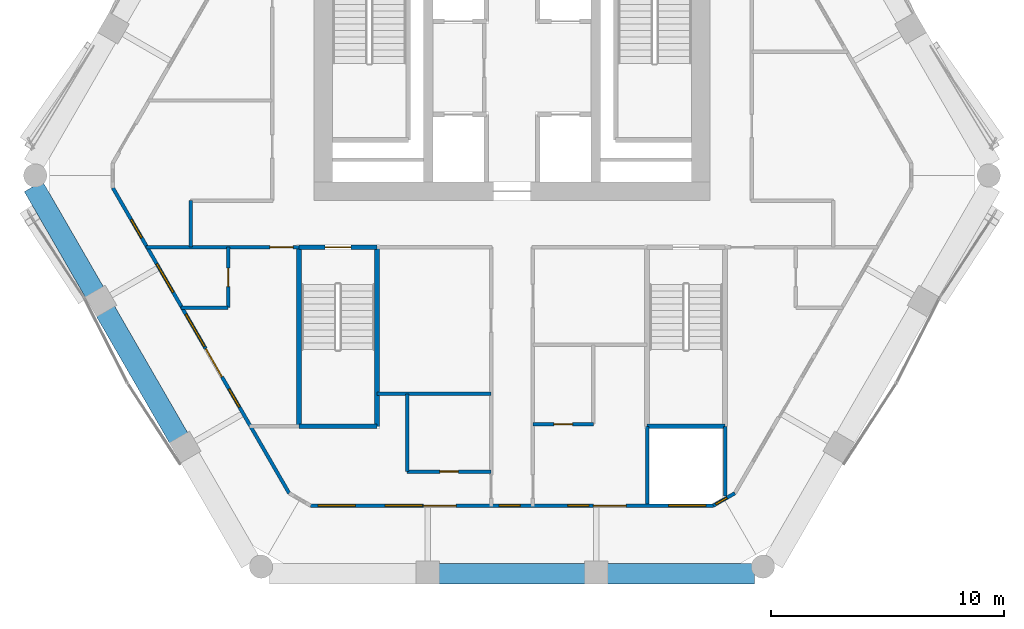
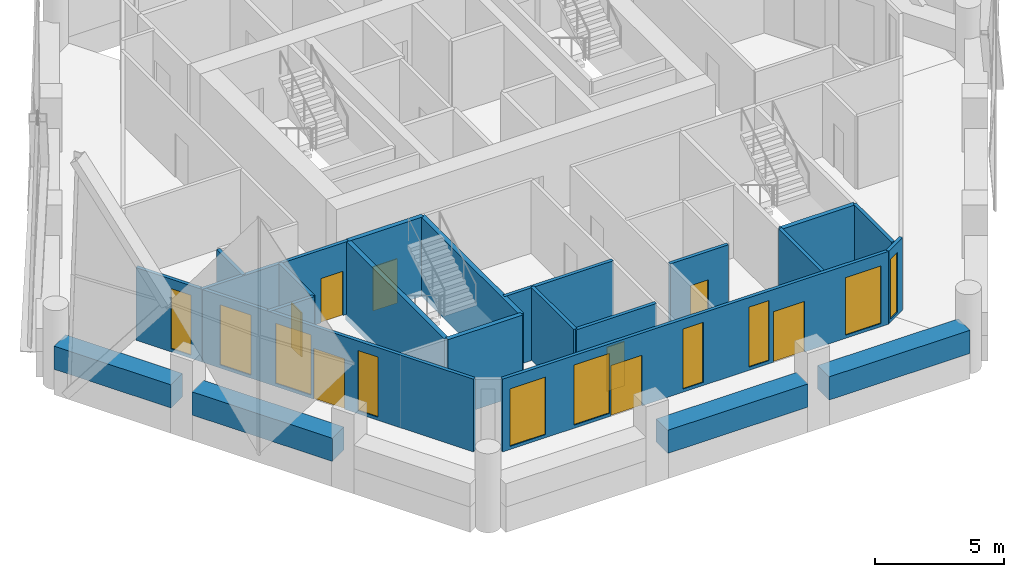
# One storey, part 7 of 13: 22 walls, 10 windows, 8 doors, 18 openings.
"""IFC4 building model written with IfcOpenShell, lengths in metres."""

from ifc_helpers import new_model, si_unit, direction, frame, frame_2d, origin, place, context, subcontext, project, spatial, rectangle, extrude, material, layer, layer_set, type_object, element, fill, save


model = new_model("IFC4")

# Units and contexts
model_context = context("Model", 3, precision=1e-05, world=origin(), true_north=direction((0.0, 1.0)))
body_context = subcontext(model_context, "Body", "Model", "MODEL_VIEW")
ifc_project = project(units=[si_unit("LENGTHUNIT", "METRE"), si_unit("AREAUNIT", "SQUARE_METRE"), si_unit("VOLUMEUNIT", "CUBIC_METRE"), si_unit("PLANEANGLEUNIT", "RADIAN"), si_unit("MASSUNIT", "GRAM", prefix="KILO")], contexts=[model_context])

# Site, building, storey
site_placement = place(None, origin())
site = spatial("IfcSite", under=ifc_project, at=site_placement, CompositionType="ELEMENT")
building_placement = place(site_placement, origin())
building = spatial("IfcBuilding", under=site, at=building_placement, Name="Ostrander Bayou Hotel Tower", CompositionType="ELEMENT")
storey_placement = place(building_placement, frame((0.0, 0.0, 187.0)))
storey = spatial("IfcBuildingStorey", under=building, at=storey_placement, Name="L46", CompositionType="ELEMENT", Elevation=187.0)

# Wall, openings, door, windows
ifc_material_1 = material(Name="Aluminium framed insulated wall", Category="aluminium")
ifc_layer_1 = layer(ifc_material_1, 0.14990234375)
ifc_layer_set_1 = layer_set([ifc_layer_1], Name="GW1 glass-line wall 150 mm")
wall_type_1 = type_object("IfcWallType", Name="GW1 glass-line wall 150 mm", PredefinedType="SOLIDWALL", material=ifc_layer_set_1)
wall_1_placement = place(storey_placement, frame((-17.144775390625, -1.154296875, 0.0), z_axis=(0.0, 0.0, 1.0), x_axis=(0.500005248668, -0.866022373443, 0.0)))
wall_1 = element("IfcWall", 1, at=wall_1_placement, inside=storey, type_object=wall_type_1, Name="GW1 L46 SW 1", PredefinedType="SOLIDWALL", context=body_context, shape_type="SweptSolid", body=[
    extrude(rectangle(XDim=15.145263671875, YDim=0.14990234375, at=frame_2d((7.57275390625, 0.0))), origin(), (0.0, 0.0, 1.0), 3.449951171875),
])
opening_1_placement = place(wall_1_placement, frame((1.57275390625, 0.0, 0.14990234375)))
opening_1 = element("IfcOpeningElement", 2, at=opening_1_placement, cuts=wall_1, Name="Opening W17", PredefinedType="OPENING", context=body_context, shape_type="SweptSolid", body=[
    extrude(rectangle(XDim=0.89990234375, YDim=2.85009765625, at=frame_2d((0.449951171875, 1.425048828125))), frame((0.0, 0.074951171875, 0.0), z_axis=(0.0, -1.0, 0.0), x_axis=(1.0, 0.0, 0.0)), (0.0, 0.0, 1.0), 0.14990234375),
])
opening_2_placement = place(wall_1_placement, frame((3.772705078125, 0.0, 0.14990234375)))
opening_2 = element("IfcOpeningElement", 3, at=opening_2_placement, cuts=wall_1, Name="Opening W13", PredefinedType="OPENING", context=body_context, shape_type="SweptSolid", body=[
    extrude(rectangle(XDim=1.39990234375, YDim=2.85009765625, at=frame_2d((0.699951171875, 1.425048828125))), frame((0.0, 0.074951171875, 0.0), z_axis=(0.0, -1.0, 0.0), x_axis=(1.0, 0.0, 0.0)), (0.0, 0.0, 1.0), 0.14990234375),
])
opening_3_placement = place(wall_1_placement, frame((6.265625, 0.0, 0.14990234375)))
opening_3 = element("IfcOpeningElement", 4, at=opening_3_placement, cuts=wall_1, Name="Opening W3", PredefinedType="OPENING", context=body_context, shape_type="SweptSolid", body=[
    extrude(rectangle(XDim=1.60009765625, YDim=2.85009765625, at=frame_2d((0.800048828125, 1.425048828125))), frame((0.0, 0.074951171875, 0.0), z_axis=(0.0, -1.0, 0.0), x_axis=(1.0, 0.0, 0.0)), (0.0, 0.0, 1.0), 0.14990234375),
])
opening_4_placement = place(wall_1_placement, frame((7.97265625, 0.0, 0.0)))
opening_4 = element("IfcOpeningElement", 5, at=opening_4_placement, cuts=wall_1, Name="Opening T44-801", PredefinedType="OPENING", context=body_context, shape_type="SweptSolid", body=[
    extrude(rectangle(XDim=1.39990234375, YDim=2.39990234375, at=frame_2d((0.699951171875, 1.199951171875))), frame((0.0, 0.074951171875, 0.0), z_axis=(0.0, -1.0, 0.0), x_axis=(1.0, 0.0, 0.0)), (0.0, 0.0, 1.0), 0.14990234375),
])
opening_5_placement = place(wall_1_placement, frame((9.97265625, 0.0, 0.14990234375)))
opening_5 = element("IfcOpeningElement", 6, at=opening_5_placement, cuts=wall_1, Name="Opening W17", PredefinedType="OPENING", context=body_context, shape_type="SweptSolid", body=[
    extrude(rectangle(XDim=0.89990234375, YDim=2.85009765625, at=frame_2d((0.449951171875, 1.425048828125))), frame((0.0, 0.074951171875, 0.0), z_axis=(0.0, -1.0, 0.0), x_axis=(1.0, 0.0, 0.0)), (0.0, 0.0, 1.0), 0.14990234375),
])
ifc_material_2 = material(Name="Aluminium and clear glass", Category="aluminium")
door_type_1 = type_object("IfcDoorType", Name="SD3 sliding glass door 1400 mm, zone 3", OperationType="SLIDING_TO_LEFT", PredefinedType="DOOR", material=ifc_material_2)
door_1_placement = place(opening_4_placement, origin())
door_1 = element("IfcDoor", 7, at=door_1_placement, inside=storey, type_object=door_type_1, Name="SD3 L46 SW 2", OperationType="SLIDING_TO_RIGHT", OverallHeight=2.39990234375, OverallWidth=1.39990234375, PredefinedType="DOOR", context=body_context, shape_type="SweptSolid", body=[
    extrude(rectangle(XDim=1.39990234375, YDim=2.39990234375, at=frame_2d((0.699951171875, 1.199951171875))), frame((0.0, 0.02490234375, 0.0), z_axis=(0.0, -1.0, 0.0), x_axis=(1.0, 0.0, 0.0)), (0.0, 0.0, 1.0), 0.050048828125),
])
fill(opening_4, door_1)
ifc_material_3 = material(Name="Aluminium and clear glass", Category="aluminium")
window_type_1 = type_object("IfcWindowType", Name="W13 fixed window 1400 mm, bath bay, zone 3", PartitioningType="SINGLE_PANEL", PredefinedType="WINDOW", material=ifc_material_3)
window_1_placement = place(opening_2_placement, origin())
window_1 = element("IfcWindow", 8, at=window_1_placement, inside=storey, type_object=window_type_1, Name="W13 L46 SW 1", OverallHeight=2.85009765625, OverallWidth=1.39990234375, PartitioningType="SINGLE_PANEL", PredefinedType="WINDOW", context=body_context, shape_type="SweptSolid", body=[
    extrude(rectangle(XDim=1.39990234375, YDim=2.85009765625, at=frame_2d((0.699951171875, 1.425048828125))), frame((0.0, 0.030029296875, 0.0), z_axis=(0.0, -1.0, 0.0), x_axis=(1.0, 0.0, 0.0)), (0.0, 0.0, 1.0), 0.06005859375),
])
fill(opening_2, window_1)
ifc_material_4 = material(Name="Aluminium and clear glass", Category="aluminium")
window_type_2 = type_object("IfcWindowType", Name="W17 window 900 mm, zone 3", PartitioningType="SINGLE_PANEL", PredefinedType="WINDOW", material=ifc_material_4)
window_2_placement = place(opening_1_placement, origin())
window_2 = element("IfcWindow", 9, at=window_2_placement, inside=storey, type_object=window_type_2, Name="W17 L46 SW 1", OverallHeight=2.85009765625, OverallWidth=0.89990234375, PartitioningType="SINGLE_PANEL", PredefinedType="WINDOW", context=body_context, shape_type="SweptSolid", body=[
    extrude(rectangle(XDim=0.89990234375, YDim=2.85009765625, at=frame_2d((0.449951171875, 1.425048828125))), frame((0.0, 0.030029296875, 0.0), z_axis=(0.0, -1.0, 0.0), x_axis=(1.0, 0.0, 0.0)), (0.0, 0.0, 1.0), 0.06005859375),
])
fill(opening_1, window_2)
window_3_placement = place(opening_5_placement, origin())
window_3 = element("IfcWindow", 10, at=window_3_placement, inside=storey, type_object=window_type_2, Name="W17 L46 SW 3", OverallHeight=2.85009765625, OverallWidth=0.89990234375, PartitioningType="SINGLE_PANEL", PredefinedType="WINDOW", context=body_context, shape_type="SweptSolid", body=[
    extrude(rectangle(XDim=0.89990234375, YDim=2.85009765625, at=frame_2d((0.449951171875, 1.425048828125))), frame((0.0, 0.030029296875, 0.0), z_axis=(0.0, -1.0, 0.0), x_axis=(1.0, 0.0, 0.0)), (0.0, 0.0, 1.0), 0.06005859375),
])
fill(opening_5, window_3)
ifc_material_5 = material(Name="Aluminium and clear glass", Category="aluminium")
window_type_3 = type_object("IfcWindowType", Name="W3 fixed window 1600 mm, zone 3", PartitioningType="SINGLE_PANEL", PredefinedType="WINDOW", material=ifc_material_5)
window_4_placement = place(opening_3_placement, origin())
window_4 = element("IfcWindow", 11, at=window_4_placement, inside=storey, type_object=window_type_3, Name="W3 L46 SW 2", OverallHeight=2.85009765625, OverallWidth=1.60009765625, PartitioningType="SINGLE_PANEL", PredefinedType="WINDOW", context=body_context, shape_type="SweptSolid", body=[
    extrude(rectangle(XDim=1.60009765625, YDim=2.85009765625, at=frame_2d((0.800048828125, 1.425048828125))), frame((0.0, 0.030029296875, 0.0), z_axis=(0.0, -1.0, 0.0), x_axis=(1.0, 0.0, 0.0)), (0.0, 0.0, 1.0), 0.06005859375),
])
fill(opening_3, window_4)

# Wall, openings, doors, windows
wall_2_placement = place(storey_placement, frame((-8.64990234375, -14.802978515625, 0.0), z_axis=(0.0, 0.0, 1.0), x_axis=(1.0, 0.0, 0.0)))
wall_2 = element("IfcWall", 12, at=wall_2_placement, inside=storey, type_object=wall_type_1, Name="GW1 L46 S 1", PredefinedType="SOLIDWALL", context=body_context, shape_type="SweptSolid", body=[
    extrude(rectangle(XDim=17.2998046875, YDim=0.14990234375, at=frame_2d((8.64990234375, 0.0))), origin(), (0.0, 0.0, 1.0), 3.449951171875),
])
opening_6_placement = place(wall_2_placement, frame((3.19970703125, 0.0, 0.14990234375)))
opening_6 = element("IfcOpeningElement", 13, at=opening_6_placement, cuts=wall_2, Name="Opening W3", PredefinedType="OPENING", context=body_context, shape_type="SweptSolid", body=[
    extrude(rectangle(XDim=1.60009765625, YDim=2.85009765625, at=frame_2d((0.800048828125, 1.425048828125))), frame((0.0, 0.074951171875, 0.0), z_axis=(0.0, -1.0, 0.0), x_axis=(1.0, 0.0, 0.0)), (0.0, 0.0, 1.0), 0.14990234375),
])
opening_7_placement = place(wall_2_placement, frame((4.849853515625, 0.0, 0.0)))
opening_7 = element("IfcOpeningElement", 14, at=opening_7_placement, cuts=wall_2, Name="Opening T44-802", PredefinedType="OPENING", context=body_context, shape_type="SweptSolid", body=[
    extrude(rectangle(XDim=1.39990234375, YDim=2.39990234375, at=frame_2d((0.699951171875, 1.199951171875))), frame((0.0, 0.074951171875, 0.0), z_axis=(0.0, -1.0, 0.0), x_axis=(1.0, 0.0, 0.0)), (0.0, 0.0, 1.0), 0.14990234375),
])
opening_8_placement = place(wall_2_placement, frame((8.099853515625, 0.0, 0.14990234375)))
opening_8 = element("IfcOpeningElement", 15, at=opening_8_placement, cuts=wall_2, Name="Opening W17", PredefinedType="OPENING", context=body_context, shape_type="SweptSolid", body=[
    extrude(rectangle(XDim=0.89990234375, YDim=2.85009765625, at=frame_2d((0.449951171875, 1.425048828125))), frame((0.0, 0.074951171875, 0.0), z_axis=(0.0, -1.0, 0.0), x_axis=(1.0, 0.0, 0.0)), (0.0, 0.0, 1.0), 0.14990234375),
])
opening_9_placement = place(wall_2_placement, frame((11.0498046875, 0.0, 0.14990234375)))
opening_9 = element("IfcOpeningElement", 16, at=opening_9_placement, cuts=wall_2, Name="Opening W17", PredefinedType="OPENING", context=body_context, shape_type="SweptSolid", body=[
    extrude(rectangle(XDim=0.89990234375, YDim=2.85009765625, at=frame_2d((0.449951171875, 1.425048828125))), frame((0.0, 0.074951171875, 0.0), z_axis=(0.0, -1.0, 0.0), x_axis=(1.0, 0.0, 0.0)), (0.0, 0.0, 1.0), 0.14990234375),
])
opening_10_placement = place(wall_2_placement, frame((12.14990234375, 0.0, 0.0)))
opening_10 = element("IfcOpeningElement", 17, at=opening_10_placement, cuts=wall_2, Name="Opening T44-803", PredefinedType="OPENING", context=body_context, shape_type="SweptSolid", body=[
    extrude(rectangle(XDim=1.39990234375, YDim=2.39990234375, at=frame_2d((0.699951171875, 1.199951171875))), frame((0.0, 0.074951171875, 0.0), z_axis=(0.0, -1.0, 0.0), x_axis=(1.0, 0.0, 0.0)), (0.0, 0.0, 1.0), 0.14990234375),
])
opening_11_placement = place(wall_2_placement, frame((0.324951171875, 0.0, 0.14990234375)))
opening_11 = element("IfcOpeningElement", 18, at=opening_11_placement, cuts=wall_2, Name="Opening W3", PredefinedType="OPENING", context=body_context, shape_type="SweptSolid", body=[
    extrude(rectangle(XDim=1.60009765625, YDim=2.72998046875, at=frame_2d((0.800048828125, 1.364990234375))), frame((0.0, 0.074951171875, 0.0), z_axis=(0.0, -1.0, 0.0), x_axis=(1.0, 0.0, 0.0)), (0.0, 0.0, 1.0), 0.14990234375),
])
opening_12_placement = place(wall_2_placement, frame((15.374755859375, 0.0, 0.14990234375)))
opening_12 = element("IfcOpeningElement", 19, at=opening_12_placement, cuts=wall_2, Name="Opening W3", PredefinedType="OPENING", context=body_context, shape_type="SweptSolid", body=[
    extrude(rectangle(XDim=1.60009765625, YDim=2.72998046875, at=frame_2d((0.800048828125, 1.364990234375))), frame((0.0, 0.074951171875, 0.0), z_axis=(0.0, -1.0, 0.0), x_axis=(1.0, 0.0, 0.0)), (0.0, 0.0, 1.0), 0.14990234375),
])
door_2_placement = place(opening_7_placement, origin())
door_2 = element("IfcDoor", 20, at=door_2_placement, inside=storey, type_object=door_type_1, Name="SD3 L46 S 1", OperationType="SLIDING_TO_LEFT", OverallHeight=2.39990234375, OverallWidth=1.39990234375, PredefinedType="DOOR", context=body_context, shape_type="SweptSolid", body=[
    extrude(rectangle(XDim=1.39990234375, YDim=2.39990234375, at=frame_2d((0.699951171875, 1.199951171875))), frame((0.0, 0.02490234375, 0.0), z_axis=(0.0, -1.0, 0.0), x_axis=(1.0, 0.0, 0.0)), (0.0, 0.0, 1.0), 0.050048828125),
])
fill(opening_7, door_2)
door_3_placement = place(opening_10_placement, origin())
door_3 = element("IfcDoor", 21, at=door_3_placement, inside=storey, type_object=door_type_1, Name="SD3 L46 S 3", OperationType="SLIDING_TO_LEFT", OverallHeight=2.39990234375, OverallWidth=1.39990234375, PredefinedType="DOOR", context=body_context, shape_type="SweptSolid", body=[
    extrude(rectangle(XDim=1.39990234375, YDim=2.39990234375, at=frame_2d((0.699951171875, 1.199951171875))), frame((0.0, 0.02490234375, 0.0), z_axis=(0.0, -1.0, 0.0), x_axis=(1.0, 0.0, 0.0)), (0.0, 0.0, 1.0), 0.050048828125),
])
fill(opening_10, door_3)
window_5_placement = place(opening_8_placement, origin())
window_5 = element("IfcWindow", 22, at=window_5_placement, inside=storey, type_object=window_type_2, Name="W17 L46 S 2", OverallHeight=2.85009765625, OverallWidth=0.89990234375, PartitioningType="SINGLE_PANEL", PredefinedType="WINDOW", context=body_context, shape_type="SweptSolid", body=[
    extrude(rectangle(XDim=0.89990234375, YDim=2.85009765625, at=frame_2d((0.449951171875, 1.425048828125))), frame((0.0, 0.030029296875, 0.0), z_axis=(0.0, -1.0, 0.0), x_axis=(1.0, 0.0, 0.0)), (0.0, 0.0, 1.0), 0.06005859375),
])
fill(opening_8, window_5)
window_6_placement = place(opening_9_placement, origin())
window_6 = element("IfcWindow", 23, at=window_6_placement, inside=storey, type_object=window_type_2, Name="W17 L46 S 3", OverallHeight=2.85009765625, OverallWidth=0.89990234375, PartitioningType="SINGLE_PANEL", PredefinedType="WINDOW", context=body_context, shape_type="SweptSolid", body=[
    extrude(rectangle(XDim=0.89990234375, YDim=2.85009765625, at=frame_2d((0.449951171875, 1.425048828125))), frame((0.0, 0.030029296875, 0.0), z_axis=(0.0, -1.0, 0.0), x_axis=(1.0, 0.0, 0.0)), (0.0, 0.0, 1.0), 0.06005859375),
])
fill(opening_9, window_6)
window_7_placement = place(opening_6_placement, origin())
window_7 = element("IfcWindow", 24, at=window_7_placement, inside=storey, type_object=window_type_3, Name="W3 L46 S 1", OverallHeight=2.85009765625, OverallWidth=1.60009765625, PartitioningType="SINGLE_PANEL", PredefinedType="WINDOW", context=body_context, shape_type="SweptSolid", body=[
    extrude(rectangle(XDim=1.60009765625, YDim=2.85009765625, at=frame_2d((0.800048828125, 1.425048828125))), frame((0.0, 0.030029296875, 0.0), z_axis=(0.0, -1.0, 0.0), x_axis=(1.0, 0.0, 0.0)), (0.0, 0.0, 1.0), 0.06005859375),
])
fill(opening_6, window_7)
window_8_placement = place(opening_11_placement, origin())
window_8 = element("IfcWindow", 25, at=window_8_placement, inside=storey, type_object=window_type_3, Name="W3 L46 S E11", OverallHeight=2.72998046875, OverallWidth=1.60009765625, PartitioningType="SINGLE_PANEL", PredefinedType="WINDOW", context=body_context, shape_type="SweptSolid", body=[
    extrude(rectangle(XDim=1.60009765625, YDim=2.72998046875, at=frame_2d((0.800048828125, 1.364990234375))), frame((0.0, 0.030029296875, 0.0), z_axis=(0.0, -1.0, 0.0), x_axis=(1.0, 0.0, 0.0)), (0.0, 0.0, 1.0), 0.06005859375),
])
fill(opening_11, window_8)
window_9_placement = place(opening_12_placement, origin())
window_9 = element("IfcWindow", 26, at=window_9_placement, inside=storey, type_object=window_type_3, Name="W3 L46 S E21", OverallHeight=2.72998046875, OverallWidth=1.60009765625, PartitioningType="SINGLE_PANEL", PredefinedType="WINDOW", context=body_context, shape_type="SweptSolid", body=[
    extrude(rectangle(XDim=1.60009765625, YDim=2.72998046875, at=frame_2d((0.800048828125, 1.364990234375))), frame((0.0, 0.030029296875, 0.0), z_axis=(0.0, -1.0, 0.0), x_axis=(1.0, 0.0, 0.0)), (0.0, 0.0, 1.0), 0.06005859375),
])
fill(opening_12, window_9)

# Wall, opening, window
wall_3_placement = place(storey_placement, frame((8.64990234375, -14.802978515625, 0.0), z_axis=(0.0, 0.0, 1.0), x_axis=(0.865990848561, 0.500059846627, 0.0)))
wall_3 = element("IfcWall", 27, at=wall_3_placement, inside=storey, type_object=wall_type_1, Name="GW1 L46 corner 4", PredefinedType="SOLIDWALL", context=body_context, shape_type="SweptSolid", body=[
    extrude(rectangle(XDim=1.064697265625, YDim=0.14990234375, at=frame_2d((0.5322265625, 0.0))), origin(), (0.0, 0.0, 1.0), 3.449951171875),
])
opening_13_placement = place(wall_3_placement, frame((0.1201171875, 0.0, 0.14990234375)))
opening_13 = element("IfcOpeningElement", 28, at=opening_13_placement, cuts=wall_3, Name="Opening W19", PredefinedType="OPENING", context=body_context, shape_type="SweptSolid", body=[
    extrude(rectangle(XDim=0.550048828125, YDim=2.85009765625, at=frame_2d((0.27490234375, 1.425048828125))), frame((0.0, 0.074951171875, 0.0), z_axis=(0.0, -1.0, 0.0), x_axis=(1.0, 0.0, 0.0)), (0.0, 0.0, 1.0), 0.14990234375),
])
ifc_material_6 = material(Name="Aluminium and clear glass", Category="aluminium")
window_type_4 = type_object("IfcWindowType", Name="W19 corner window 550 mm", PartitioningType="SINGLE_PANEL", PredefinedType="WINDOW", material=ifc_material_6)
window_10_placement = place(opening_13_placement, origin())
window_10 = element("IfcWindow", 29, at=window_10_placement, inside=storey, type_object=window_type_4, Name="W19 L46 corner 4", OverallHeight=2.85009765625, OverallWidth=0.550048828125, PartitioningType="SINGLE_PANEL", PredefinedType="WINDOW", context=body_context, shape_type="SweptSolid", body=[
    extrude(rectangle(XDim=0.550048828125, YDim=2.85009765625, at=frame_2d((0.27490234375, 1.425048828125))), frame((0.0, 0.030029296875, 0.0), z_axis=(0.0, -1.0, 0.0), x_axis=(1.0, 0.0, 0.0)), (0.0, 0.0, 1.0), 0.06005859375),
])
fill(opening_13, window_10)

# Walls
ifc_material_7 = material(Name="Concrete f'c 40 MPa", Category="concrete")
ifc_layer_2 = layer(ifc_material_7, 0.89990234375)
ifc_layer_set_2 = layer_set([ifc_layer_2], Name="PA1 stone-faced parapet 900 mm")
wall_type_2 = type_object("IfcWallType", Name="PA1 stone-faced parapet 900 mm", PredefinedType="PARAPET", material=ifc_layer_set_2)
wall_4_placement = place(storey_placement, frame((-3.148193359375, -17.72802734375, 0.0), z_axis=(0.0, 0.0, 1.0), x_axis=(1.0, 0.0, 0.0)))
element("IfcWall", 30, at=wall_4_placement, inside=storey, type_object=wall_type_2, Name="PA1 L46 S-2", PredefinedType="PARAPET", context=body_context, shape_type="SweptSolid", body=[
    extrude(rectangle(XDim=6.29638671875, YDim=0.89990234375, at=frame_2d((3.148193359375, 0.0))), origin(), (0.0, 0.0, 1.0), 1.10009765625),
])
wall_5_placement = place(storey_placement, frame((4.088134765625, -17.72802734375, 0.0), z_axis=(0.0, 0.0, 1.0), x_axis=(1.0, 0.0, 0.0)))
element("IfcWall", 31, at=wall_5_placement, inside=storey, type_object=wall_type_2, Name="PA1 L46 S-3", PredefinedType="PARAPET", context=body_context, shape_type="SweptSolid", body=[
    extrude(rectangle(XDim=6.32275390625, YDim=0.89990234375, at=frame_2d((3.161376953125, 0.0))), origin(), (0.0, 0.0, 1.0), 1.10009765625),
])
ifc_material_8 = material(Name="Limestone masonry", Category="masonry")
ifc_layer_3 = layer(ifc_material_8, 0.89990234375)
ifc_layer_set_3 = layer_set([ifc_layer_3], Name="PA2 limestone parapet 900 mm")
wall_type_3 = type_object("IfcWallType", Name="PA2 limestone parapet 900 mm", PredefinedType="PARAPET", material=ifc_layer_set_3)
wall_6_placement = place(storey_placement, frame((-20.55859375, -1.091552734375, 0.0), z_axis=(0.0, 0.0, 1.0), x_axis=(0.500023253097, -0.866011978186, 0.0)))
element("IfcWall", 32, at=wall_6_placement, inside=storey, type_object=wall_type_3, Name="PA2 L46 SW-1", PredefinedType="PARAPET", context=body_context, shape_type="SweptSolid", body=[
    extrude(rectangle(XDim=5.245849609375, YDim=0.89990234375, at=frame_2d((2.623046875, 0.0))), origin(), (0.0, 0.0, 1.0), 1.10009765625),
])
wall_7_placement = place(storey_placement, frame((-17.465576171875, -6.44873046875, 0.0), z_axis=(0.0, 0.0, 1.0), x_axis=(0.500013351051, -0.866017695414, 0.0)))
element("IfcWall", 33, at=wall_7_placement, inside=storey, type_object=wall_type_3, Name="PA2 L46 SW-2", PredefinedType="PARAPET", context=body_context, shape_type="SweptSolid", body=[
    extrude(rectangle(XDim=6.296142578125, YDim=0.89990234375, at=frame_2d((3.14794921875, 0.0))), origin(), (0.0, 0.0, 1.0), 1.10009765625),
])
ifc_material_9 = material(Name="Gypsum board partition", Category="finish")
ifc_layer_4 = layer(ifc_material_9, 0.14990234375)
ifc_layer_set_4 = layer_set([ifc_layer_4], Name="PT7 riser wall 150 mm, 2 hour")
wall_type_4 = type_object("IfcWallType", Name="PT7 riser wall 150 mm, 2 hour", PredefinedType="PARTITIONING", material=ifc_layer_set_4)
wall_8_placement = place(storey_placement, frame((5.800048828125, -11.39990234375, 0.0), z_axis=(0.0, 0.0, 1.0), x_axis=(0.0, -1.0, 0.0)))
element("IfcWall", 34, at=wall_8_placement, inside=storey, type_object=wall_type_4, Name="cs:L46:019", PredefinedType="PARTITIONING", context=body_context, shape_type="SweptSolid", body=[
    extrude(rectangle(XDim=3.328125, YDim=0.14990234375, at=frame_2d((1.6640625, 0.0))), origin(), (0.0, 0.0, 1.0), 3.449951171875),
])
wall_9_placement = place(storey_placement, frame((9.14990234375, -11.39990234375, 0.0), z_axis=(0.0, 0.0, 1.0), x_axis=(0.0, -1.0, 0.0)))
element("IfcWall", 35, at=wall_9_placement, inside=storey, type_object=wall_type_4, Name="cs:L46:020", PredefinedType="PARTITIONING", context=body_context, shape_type="SweptSolid", body=[
    extrude(rectangle(XDim=2.99609375, YDim=0.14990234375, at=frame_2d((1.498046875, 0.0))), origin(), (0.0, 0.0, 1.0), 3.449951171875),
])

# Wall, opening, door
ifc_material_10 = material(Name="Gypsum board partition", Category="finish")
ifc_layer_5 = layer(ifc_material_10, 0.14990234375)
ifc_layer_set_5 = layer_set([ifc_layer_5], Name="PT8 service band wall 150 mm, 1 hour")
wall_type_5 = type_object("IfcWallType", Name="PT8 service band wall 150 mm, 1 hour", PredefinedType="PARTITIONING", material=ifc_layer_set_5)
wall_10_placement = place(storey_placement, frame((-4.5, -13.340087890625, 0.0), z_axis=(0.0, 0.0, 1.0), x_axis=(1.0, 0.0, 0.0)))
wall_10 = element("IfcWall", 36, at=wall_10_placement, inside=storey, type_object=wall_type_5, Name="gw:L46:001", PredefinedType="PARTITIONING", context=body_context, shape_type="SweptSolid", body=[
    extrude(rectangle(XDim=3.60009765625, YDim=0.14990234375, at=frame_2d((1.800048828125, 0.0))), origin(), (0.0, 0.0, 1.0), 3.449951171875),
])
opening_14_placement = place(wall_10_placement, frame((1.39990234375, 0.0, 0.0)))
opening_14 = element("IfcOpeningElement", 37, at=opening_14_placement, cuts=wall_10, Name="Opening T44-404", PredefinedType="OPENING", context=body_context, shape_type="SweptSolid", body=[
    extrude(rectangle(XDim=0.800048828125, YDim=2.10009765625, at=frame_2d((0.39990234375, 1.050048828125))), frame((0.0, 0.074951171875, 0.0), z_axis=(0.0, -1.0, 0.0), x_axis=(1.0, 0.0, 0.0)), (0.0, 0.0, 1.0), 0.14990234375),
])
ifc_material_11 = material(Name="Timber door leaf", Category="wood")
door_type_2 = type_object("IfcDoorType", Name="D2 bathroom door 800 x 2100 mm", OperationType="SINGLE_SWING_LEFT", PredefinedType="DOOR", material=ifc_material_11)
door_4_placement = place(opening_14_placement, origin())
door_4 = element("IfcDoor", 38, at=door_4_placement, inside=storey, type_object=door_type_2, Name="dr:L46:404", OperationType="SINGLE_SWING_RIGHT", OverallHeight=2.10009765625, OverallWidth=0.800048828125, PredefinedType="DOOR", context=body_context, shape_type="SweptSolid", body=[
    extrude(rectangle(XDim=0.800048828125, YDim=2.10009765625, at=frame_2d((0.39990234375, 1.050048828125))), frame((0.0, 0.02490234375, 0.0), z_axis=(0.0, -1.0, 0.0), x_axis=(1.0, 0.0, 0.0)), (0.0, 0.0, 1.0), 0.050048828125),
])
fill(opening_14, door_4)

wall_11_placement = place(storey_placement, frame((0.89990234375, -11.300048828125, 0.0), z_axis=(0.0, 0.0, 1.0), x_axis=(1.0, 0.0, 0.0)))
wall_11 = element("IfcWall", 39, at=wall_11_placement, inside=storey, type_object=wall_type_5, Name="gw:L46:003", PredefinedType="PARTITIONING", context=body_context, shape_type="SweptSolid", body=[
    extrude(rectangle(XDim=2.60009765625, YDim=0.14990234375, at=frame_2d((1.300048828125, 0.0))), origin(), (0.0, 0.0, 1.0), 3.449951171875),
])
opening_15_placement = place(wall_11_placement, frame((0.89990234375, 0.0, 0.0)))
opening_15 = element("IfcOpeningElement", 40, at=opening_15_placement, cuts=wall_11, Name="Opening T44-407", PredefinedType="OPENING", context=body_context, shape_type="SweptSolid", body=[
    extrude(rectangle(XDim=0.800048828125, YDim=2.10009765625, at=frame_2d((0.39990234375, 1.050048828125))), frame((0.0, 0.074951171875, 0.0), z_axis=(0.0, -1.0, 0.0), x_axis=(1.0, 0.0, 0.0)), (0.0, 0.0, 1.0), 0.14990234375),
])
door_5_placement = place(opening_15_placement, origin())
door_5 = element("IfcDoor", 41, at=door_5_placement, inside=storey, type_object=door_type_2, Name="dr:L46:407", OperationType="SINGLE_SWING_LEFT", OverallHeight=2.10009765625, OverallWidth=0.800048828125, PredefinedType="DOOR", context=body_context, shape_type="SweptSolid", body=[
    extrude(rectangle(XDim=0.800048828125, YDim=2.10009765625, at=frame_2d((0.39990234375, 1.050048828125))), frame((0.0, 0.02490234375, 0.0), z_axis=(0.0, -1.0, 0.0), x_axis=(1.0, 0.0, 0.0)), (0.0, 0.0, 1.0), 0.050048828125),
])
fill(opening_15, door_5)

# Walls
wall_12_placement = place(storey_placement, frame((-5.7900390625, -10.0, 0.0), z_axis=(0.0, 0.0, 1.0), x_axis=(1.0, 0.0, 0.0)))
element("IfcWall", 42, at=wall_12_placement, inside=storey, type_object=wall_type_5, Name="gw:L46:004", PredefinedType="PARTITIONING", context=body_context, shape_type="SweptSolid", body=[
    extrude(rectangle(XDim=4.89013671875, YDim=0.14990234375, at=frame_2d((2.445068359375, 0.0))), origin(), (0.0, 0.0, 1.0), 3.449951171875),
])
wall_13_placement = place(storey_placement, frame((-14.22607421875, -6.300048828125, 0.0), z_axis=(0.0, 0.0, 1.0), x_axis=(1.0, 0.0, 0.0)))
element("IfcWall", 43, at=wall_13_placement, inside=storey, type_object=wall_type_5, Name="gw:L46:006", PredefinedType="PARTITIONING", context=body_context, shape_type="SweptSolid", body=[
    extrude(rectangle(XDim=2.031005859375, YDim=0.14990234375, at=frame_2d((1.015625, 0.0))), origin(), (0.0, 0.0, 1.0), 3.449951171875),
])

# Wall, opening, door
wall_14_placement = place(storey_placement, frame((-15.72705078125, -3.699951171875, 0.0), z_axis=(0.0, 0.0, 1.0), x_axis=(1.0, 0.0, 0.0)))
wall_14 = element("IfcWall", 44, at=wall_14_placement, inside=storey, type_object=wall_type_5, Name="gw:L46:008", PredefinedType="PARTITIONING", context=body_context, shape_type="SweptSolid", body=[
    extrude(rectangle(XDim=6.567138671875, YDim=0.14990234375, at=frame_2d((3.28369140625, 0.0))), origin(), (0.0, 0.0, 1.0), 3.449951171875),
])
opening_16_placement = place(wall_14_placement, frame((5.326904296875, 0.0, 0.0)))
opening_16 = element("IfcOpeningElement", 45, at=opening_16_placement, cuts=wall_14, Name="Opening T44-400", PredefinedType="OPENING", context=body_context, shape_type="SweptSolid", body=[
    extrude(rectangle(XDim=1.0, YDim=2.10009765625, at=frame_2d((0.5, 1.050048828125))), frame((0.0, 0.074951171875, 0.0), z_axis=(0.0, -1.0, 0.0), x_axis=(1.0, 0.0, 0.0)), (0.0, 0.0, 1.0), 0.14990234375),
])
ifc_material_12 = material(Name="Timber door leaf", Category="wood")
door_type_3 = type_object("IfcDoorType", Name="D1 guest room door 1000 x 2100 mm, 30 minute", OperationType="SINGLE_SWING_LEFT", PredefinedType="DOOR", material=ifc_material_12)
door_6_placement = place(opening_16_placement, origin())
door_6 = element("IfcDoor", 46, at=door_6_placement, inside=storey, type_object=door_type_3, Name="dr:L46:400", OperationType="SINGLE_SWING_RIGHT", OverallHeight=2.10009765625, OverallWidth=1.0, PredefinedType="DOOR", context=body_context, shape_type="SweptSolid", body=[
    extrude(rectangle(XDim=1.0, YDim=2.10009765625, at=frame_2d((0.5, 1.050048828125))), frame((0.0, 0.02490234375, 0.0), z_axis=(0.0, -1.0, 0.0), x_axis=(1.0, 0.0, 0.0)), (0.0, 0.0, 1.0), 0.050048828125),
])
fill(opening_16, door_6)

# Wall
wall_15_placement = place(storey_placement, frame((-4.5, -13.340087890625, 0.0), z_axis=(0.0, 0.0, 1.0), x_axis=(0.0, 1.0, 0.0)))
element("IfcWall", 47, at=wall_15_placement, inside=storey, type_object=wall_type_5, Name="gw:L46:027", PredefinedType="PARTITIONING", context=body_context, shape_type="SweptSolid", body=[
    extrude(rectangle(XDim=3.340087890625, YDim=0.14990234375, at=frame_2d((1.669921875, 0.0))), origin(), (0.0, 0.0, 1.0), 3.449951171875),
])

# Wall, opening, door
wall_16_placement = place(storey_placement, frame((-12.195068359375, -6.300048828125, 0.0), z_axis=(0.0, 0.0, 1.0), x_axis=(0.0, 1.0, 0.0)))
wall_16 = element("IfcWall", 48, at=wall_16_placement, inside=storey, type_object=wall_type_5, Name="gw:L46:030", PredefinedType="PARTITIONING", context=body_context, shape_type="SweptSolid", body=[
    extrude(rectangle(XDim=2.60009765625, YDim=0.14990234375, at=frame_2d((1.300048828125, 0.0))), origin(), (0.0, 0.0, 1.0), 3.449951171875),
])
opening_17_placement = place(wall_16_placement, frame((0.89990234375, 0.0, 0.0)))
opening_17 = element("IfcOpeningElement", 49, at=opening_17_placement, cuts=wall_16, Name="Opening T44-401", PredefinedType="OPENING", context=body_context, shape_type="SweptSolid", body=[
    extrude(rectangle(XDim=0.800048828125, YDim=2.10009765625, at=frame_2d((0.39990234375, 1.050048828125))), frame((0.0, 0.074951171875, 0.0), z_axis=(0.0, -1.0, 0.0), x_axis=(1.0, 0.0, 0.0)), (0.0, 0.0, 1.0), 0.14990234375),
])
door_7_placement = place(opening_17_placement, origin())
door_7 = element("IfcDoor", 50, at=door_7_placement, inside=storey, type_object=door_type_2, Name="dr:L46:401", OperationType="SINGLE_SWING_RIGHT", OverallHeight=2.10009765625, OverallWidth=0.800048828125, PredefinedType="DOOR", context=body_context, shape_type="SweptSolid", body=[
    extrude(rectangle(XDim=0.800048828125, YDim=2.10009765625, at=frame_2d((0.39990234375, 1.050048828125))), frame((0.0, 0.02490234375, 0.0), z_axis=(0.0, -1.0, 0.0), x_axis=(1.0, 0.0, 0.0)), (0.0, 0.0, 1.0), 0.050048828125),
])
fill(opening_17, door_7)

# Walls
wall_17_placement = place(storey_placement, frame((-13.800048828125, -3.699951171875, 0.0), z_axis=(0.0, 0.0, 1.0), x_axis=(0.0, 1.0, 0.0)))
element("IfcWall", 51, at=wall_17_placement, inside=storey, type_object=wall_type_5, Name="gw:L46:031", PredefinedType="PARTITIONING", context=body_context, shape_type="SweptSolid", body=[
    extrude(rectangle(XDim=2.0, YDim=0.14990234375, at=frame_2d((1.0, 0.0))), origin(), (0.0, 0.0, 1.0), 3.449951171875),
])
ifc_material_13 = material(Name="Concrete f'c 45 MPa", Category="concrete")
ifc_layer_6 = layer(ifc_material_13, 0.199951171875)
ifc_layer_set_6 = layer_set([ifc_layer_6], Name="SW5 stair enclosure wall 200 mm f'c 45 MPa")
wall_type_6 = type_object("IfcWallType", Name="SW5 stair enclosure wall 200 mm f'c 45 MPa", PredefinedType="SOLIDWALL", material=ifc_layer_set_6)
wall_18_placement = place(storey_placement, frame((5.800048828125, -11.39990234375, -0.300048828125), z_axis=(0.0, 0.0, 1.0), x_axis=(1.0, 0.0, 0.0)))
element("IfcWall", 52, at=wall_18_placement, inside=storey, type_object=wall_type_6, Name="cs:L46:018", PredefinedType="SOLIDWALL", context=body_context, shape_type="SweptSolid", body=[
    extrude(rectangle(XDim=3.349853515625, YDim=0.199951171875, at=frame_2d((1.6748046875, 0.0))), origin(), (0.0, 0.0, 1.0), 3.75),
])

# Wall, opening, door
wall_19_placement = place(storey_placement, frame((-9.14990234375, -3.699951171875, -0.300048828125), z_axis=(0.0, 0.0, 1.0), x_axis=(1.0, 0.0, 0.0)))
wall_19 = element("IfcWall", 53, at=wall_19_placement, inside=storey, type_object=wall_type_6, Name="cs:L46:021", PredefinedType="SOLIDWALL", context=body_context, shape_type="SweptSolid", body=[
    extrude(rectangle(XDim=3.349853515625, YDim=0.199951171875, at=frame_2d((1.6748046875, 0.0))), origin(), (0.0, 0.0, 1.0), 3.75),
])
opening_18_placement = place(wall_19_placement, frame((1.125, 0.0, 0.0)))
opening_18 = element("IfcOpeningElement", 54, at=opening_18_placement, cuts=wall_19, Name="Opening T44-012", PredefinedType="OPENING", context=body_context, shape_type="SweptSolid", body=[
    extrude(rectangle(XDim=1.10009765625, YDim=2.10009765625, at=frame_2d((0.550048828125, 1.050048828125))), frame((0.0, 0.10009765625, 0.0), z_axis=(0.0, -1.0, 0.0), x_axis=(1.0, 0.0, 0.0)), (0.0, 0.0, 1.0), 0.199951171875),
])
ifc_material_14 = material(Name="Timber door leaf", Category="wood")
door_type_4 = type_object("IfcDoorType", Name="D5 stair door 1100 x 2100 mm, 90 minute", OperationType="SINGLE_SWING_LEFT", PredefinedType="DOOR", material=ifc_material_14)
door_8_placement = place(opening_18_placement, origin())
door_8 = element("IfcDoor", 55, at=door_8_placement, inside=storey, type_object=door_type_4, Name="dr:L46:012", OperationType="SINGLE_SWING_LEFT", OverallHeight=2.10009765625, OverallWidth=1.10009765625, PredefinedType="DOOR", context=body_context, shape_type="SweptSolid", body=[
    extrude(rectangle(XDim=1.10009765625, YDim=2.10009765625, at=frame_2d((0.550048828125, 1.050048828125))), frame((0.0, 0.02490234375, 0.0), z_axis=(0.0, -1.0, 0.0), x_axis=(1.0, 0.0, 0.0)), (0.0, 0.0, 1.0), 0.050048828125),
])
fill(opening_18, door_8)

# Walls
for number, where, z_axis, x_axis, name in (
    (56, (-9.14990234375, -3.699951171875, -0.300048828125), (0.0, 0.0, 1.0), (0.0, -1.0, 0.0), "cs:L46:022"),
    (57, (-5.800048828125, -3.699951171875, -0.300048828125), (0.0, 0.0, 1.0), (0.0, -1.0, 0.0), "cs:L46:023"),
):
    element("IfcWall", number, at=place(storey_placement, frame(where, z_axis=z_axis, x_axis=x_axis)), inside=storey, type_object=wall_type_6, Name=name, PredefinedType="SOLIDWALL", context=body_context, shape_type="SweptSolid", body=[
        extrude(rectangle(XDim=7.699951171875, YDim=0.199951171875, at=frame_2d((3.85009765625, 0.0))), origin(), (0.0, 0.0, 1.0), 3.75),
    ])
wall_20_placement = place(storey_placement, frame((-9.14990234375, -11.39990234375, -0.300048828125), z_axis=(0.0, 0.0, 1.0), x_axis=(1.0, 0.0, 0.0)))
element("IfcWall", 58, at=wall_20_placement, inside=storey, type_object=wall_type_6, Name="cs:L46:024", PredefinedType="SOLIDWALL", context=body_context, shape_type="SweptSolid", body=[
    extrude(rectangle(XDim=3.349853515625, YDim=0.199951171875, at=frame_2d((1.6748046875, 0.0))), origin(), (0.0, 0.0, 1.0), 3.75),
])

save(model, "model.ifc")
